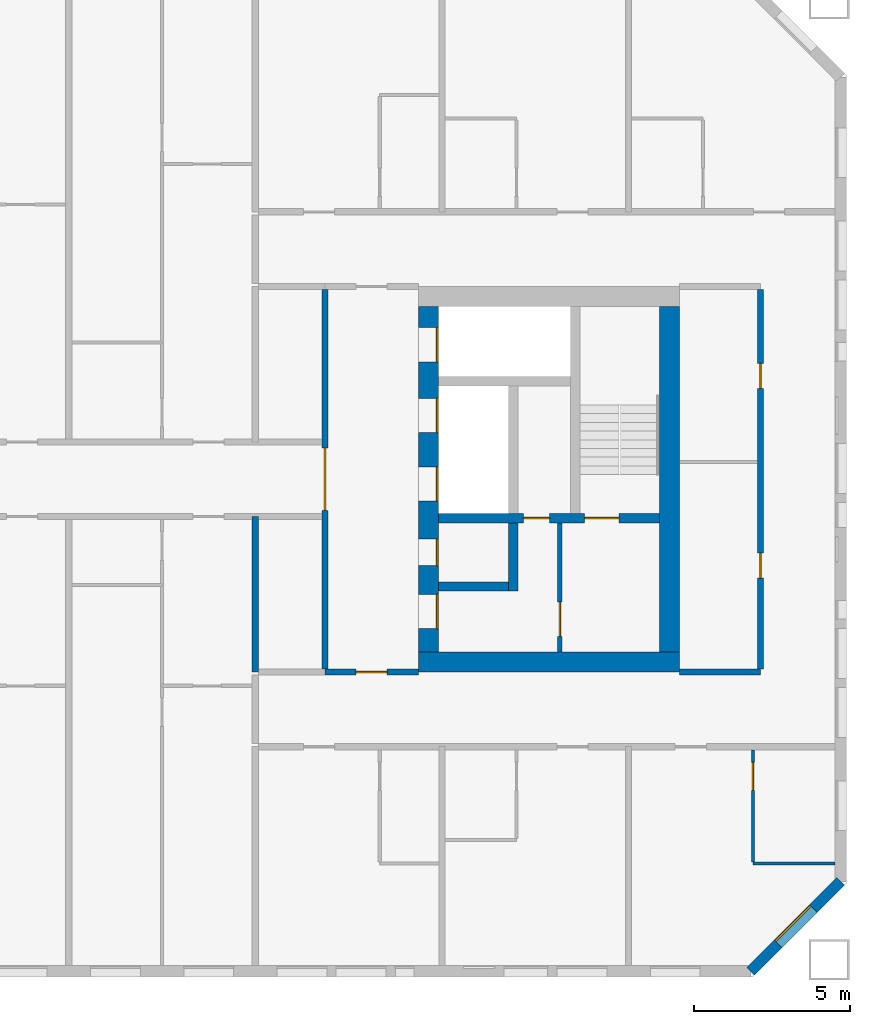
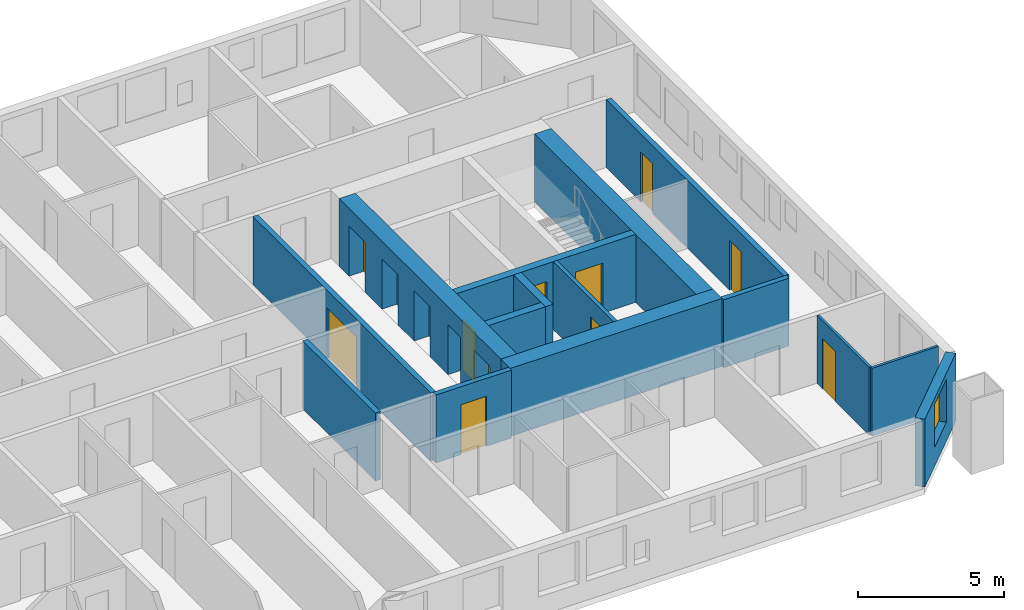
# One storey, part 13 of 17: 15 walls, 13 doors, 1 window, 14 openings.
"""IFC4 building model written with IfcOpenShell, lengths in metres."""

from ifc_helpers import new_model, si_unit, direction, frame, frame_2d, origin, place, context, subcontext, project, spatial, rectangle, extrude, material, layer, layer_set, type_object, element, fill, save


model = new_model("IFC4")

# Units and contexts
model_context = context("Model", 3, precision=1e-05, world=origin(), true_north=direction((0.0, 1.0)))
body_context = subcontext(model_context, "Body", "Model", "MODEL_VIEW")
ifc_project = project(units=[si_unit("LENGTHUNIT", "METRE"), si_unit("AREAUNIT", "SQUARE_METRE"), si_unit("VOLUMEUNIT", "CUBIC_METRE"), si_unit("PLANEANGLEUNIT", "RADIAN"), si_unit("MASSUNIT", "GRAM", prefix="KILO")], contexts=[model_context])

# Site, building, storey
site_placement = place(None, origin())
site = spatial("IfcSite", under=ifc_project, at=site_placement, CompositionType="ELEMENT")
building_placement = place(site_placement, origin())
building = spatial("IfcBuilding", under=site, at=building_placement, Name="Tuart Gate Housing", CompositionType="ELEMENT")
storey_placement = place(building_placement, frame((0.0, 0.0, 105.699951171875)))
storey = spatial("IfcBuildingStorey", under=building, at=storey_placement, Name="L29", CompositionType="ELEMENT", Elevation=105.699951171875)

# Wall, opening, window
ifc_material_1 = material(Name="Brick", Category="masonry")
ifc_layer_1 = layer(ifc_material_1, 0.360107421875)
ifc_layer_set_1 = layer_set([ifc_layer_1], Name="Brick pier and spandrel wall 360")
wall_type_1 = type_object("IfcWallType", Name="Brick pier and spandrel wall 360", PredefinedType="STANDARD", material=ifc_layer_set_1)
wall_1_placement = place(storey_placement, frame((170.92529296875, 54.179931640625, 0.0), z_axis=(0.0, 0.0, 1.0), x_axis=(0.707106781187, 0.707106781187, 0.0)))
wall_1 = element("IfcWall", 1, at=wall_1_placement, inside=storey, type_object=wall_type_1, Name="External wall B-SE L29", PredefinedType="STANDARD", context=body_context, shape_type="SweptSolid", body=[
    extrude(rectangle(XDim=4.09375, YDim=0.360107421875, at=frame_2d((2.046875, 0.0))), origin(), (0.0, 0.0, 1.0), 2.85009765625),
])
opening_1_placement = place(wall_1_placement, frame((1.2470703125, 0.0, 0.800048828125)))
opening_1 = element("IfcOpeningElement", 2, at=opening_1_placement, cuts=wall_1, Name="Opening W1", PredefinedType="OPENING", context=body_context, shape_type="SweptSolid", body=[
    extrude(rectangle(XDim=1.60009765625, YDim=1.800048828125, at=frame_2d((0.800048828125, 0.89990234375))), frame((0.0, 0.18994140625, 0.0), z_axis=(0.0, -1.0, 0.0), x_axis=(1.0, 0.0, 0.0)), (0.0, 0.0, 1.0), 0.380126953125),
])
ifc_material_2 = material(Name="Aluminium frame with clear glass", Category="aluminium")
window_type = type_object("IfcWindowType", Name="Punched window 1600 x 1800", PartitioningType="SINGLE_PANEL", PredefinedType="WINDOW", material=ifc_material_2)
window_placement = place(opening_1_placement, origin())
window = element("IfcWindow", 3, at=window_placement, inside=storey, type_object=window_type, Name="Window W1", OverallHeight=1.800048828125, OverallWidth=1.60009765625, PartitioningType="SINGLE_PANEL", PredefinedType="WINDOW", context=body_context, shape_type="SweptSolid", body=[
    extrude(rectangle(XDim=1.60009765625, YDim=1.800048828125, at=frame_2d((0.800048828125, 0.89990234375))), frame((0.0, 0.150146484375, 0.0), z_axis=(0.0, -1.0, 0.0), x_axis=(1.0, 0.0, 0.0)), (0.0, 0.0, 1.0), 0.06005859375),
])
fill(opening_1, window)

# Wall, opening, door
ifc_material_3 = material(Name="Plasterboard partition")
ifc_layer_2 = layer(ifc_material_3, 0.14990234375)
ifc_layer_set_2 = layer_set([ifc_layer_2], Name="Core partition 150")
wall_type_2 = type_object("IfcWallType", Name="Core partition 150", PredefinedType="PARTITIONING", material=ifc_layer_set_2)
wall_2_placement = place(storey_placement, frame((164.7900390625, 68.60009765625, 0.0), z_axis=(0.0, 0.0, 1.0), x_axis=(0.0, -1.0, 0.0)))
wall_2 = element("IfcWall", 4, at=wall_2_placement, inside=storey, type_object=wall_type_2, Name="Core partition BK.6", PredefinedType="PARTITIONING", context=body_context, shape_type="SweptSolid", body=[
    extrude(rectangle(XDim=4.150146484375, YDim=0.14990234375, at=frame_2d((2.0751953125, 0.0))), origin(), (0.0, 0.0, 1.0), 2.85009765625),
])
opening_2_placement = place(wall_2_placement, frame((2.550048828125, 0.0, 0.0)))
opening_2 = element("IfcOpeningElement", 5, at=opening_2_placement, cuts=wall_2, Name="Opening D1271", PredefinedType="OPENING", context=body_context, shape_type="SweptSolid", body=[
    extrude(rectangle(XDim=1.10009765625, YDim=2.10009765625, at=frame_2d((0.550048828125, 1.050048828125))), frame((0.0, 0.0849609375, 0.0), z_axis=(0.0, -1.0, 0.0), x_axis=(1.0, 0.0, 0.0)), (0.0, 0.0, 1.0), 0.169921875),
])
ifc_material_4 = material(Name="Steel fire door", Category="steel")
door_type_1 = type_object("IfcDoorType", Name="Lobby door 1100 x 2100 RH", OperationType="SINGLE_SWING_RIGHT", PredefinedType="DOOR", material=ifc_material_4)
door_1_placement = place(opening_2_placement, origin())
door_1 = element("IfcDoor", 6, at=door_1_placement, inside=storey, type_object=door_type_1, Name="Smoke lobby door BK.KD", OperationType="SINGLE_SWING_RIGHT", OverallHeight=2.10009765625, OverallWidth=1.10009765625, PredefinedType="DOOR", context=body_context, shape_type="SweptSolid", body=[
    extrude(rectangle(XDim=1.10009765625, YDim=2.10009765625, at=frame_2d((0.550048828125, 1.050048828125))), frame((0.0, 0.02490234375, 0.0), z_axis=(0.0, -1.0, 0.0), x_axis=(1.0, 0.0, 0.0)), (0.0, 0.0, 1.0), 0.050048828125),
])
fill(opening_2, door_1)

# Wall, openings, doors
ifc_material_5 = material(Name="Concrete C50", Category="concrete")
ifc_layer_3 = layer(ifc_material_5, 0.300048828125)
ifc_layer_set_3 = layer_set([ifc_layer_3], Name="Core wall 300 C50")
wall_type_3 = type_object("IfcWallType", Name="Core wall 300 C50", PredefinedType="SHEAR", material=ifc_layer_set_3)
wall_3_placement = place(storey_placement, frame((160.889892578125, 68.75, 0.0), z_axis=(0.0, 0.0, 1.0), x_axis=(1.0, 0.0, 0.0)))
wall_3 = element("IfcWall", 7, at=wall_3_placement, inside=storey, type_object=wall_type_3, Name="Core wall BK.2", PredefinedType="SHEAR", context=body_context, shape_type="SweptSolid", body=[
    extrude(rectangle(XDim=7.10009765625, YDim=0.300048828125, at=frame_2d((3.550048828125, 0.0))), origin(), (0.0, 0.0, 1.0), 2.85009765625),
])
opening_3_placement = place(wall_3_placement, frame((4.699951171875, 0.0, 0.0)))
opening_3 = element("IfcOpeningElement", 8, at=opening_3_placement, cuts=wall_3, Name="Opening D1270", PredefinedType="OPENING", context=body_context, shape_type="SweptSolid", body=[
    extrude(rectangle(XDim=1.10009765625, YDim=2.10009765625, at=frame_2d((0.550048828125, 1.050048828125))), frame((0.0, 0.159912109375, 0.0), z_axis=(0.0, -1.0, 0.0), x_axis=(1.0, 0.0, 0.0)), (0.0, 0.0, 1.0), 0.320068359375),
])
opening_4_placement = place(wall_3_placement, frame((2.72509765625, 0.0, 0.0)))
opening_4 = element("IfcOpeningElement", 9, at=opening_4_placement, cuts=wall_3, Name="Opening D1269", PredefinedType="OPENING", context=body_context, shape_type="SweptSolid", body=[
    extrude(rectangle(XDim=0.85009765625, YDim=2.10009765625, at=frame_2d((0.425048828125, 1.050048828125))), frame((0.0, 0.159912109375, 0.0), z_axis=(0.0, -1.0, 0.0), x_axis=(1.0, 0.0, 0.0)), (0.0, 0.0, 1.0), 0.320068359375),
])
ifc_material_6 = material(Name="Steel fire door", Category="steel")
door_type_2 = type_object("IfcDoorType", Name="Riser door 850 x 2100", OperationType="SINGLE_SWING_LEFT", PredefinedType="DOOR", material=ifc_material_6)
door_2_placement = place(opening_4_placement, origin())
door_2 = element("IfcDoor", 10, at=door_2_placement, inside=storey, type_object=door_type_2, Name="Service room door BK.W1", OperationType="SINGLE_SWING_LEFT", OverallHeight=2.10009765625, OverallWidth=0.85009765625, PredefinedType="DOOR", context=body_context, shape_type="SweptSolid", body=[
    extrude(rectangle(XDim=0.85009765625, YDim=2.10009765625, at=frame_2d((0.425048828125, 1.050048828125))), frame((0.0, 0.02490234375, 0.0), z_axis=(0.0, -1.0, 0.0), x_axis=(1.0, 0.0, 0.0)), (0.0, 0.0, 1.0), 0.050048828125),
])
fill(opening_4, door_2)
ifc_material_7 = material(Name="Steel fire door", Category="steel")
door_type_3 = type_object("IfcDoorType", Name="Stair door 1100 x 2100", OperationType="SINGLE_SWING_LEFT", PredefinedType="DOOR", material=ifc_material_7)
door_3_placement = place(opening_3_placement, origin())
door_3 = element("IfcDoor", 11, at=door_3_placement, inside=storey, type_object=door_type_3, Name="Stair door BK.SD", OperationType="SINGLE_SWING_LEFT", OverallHeight=2.10009765625, OverallWidth=1.10009765625, PredefinedType="DOOR", context=body_context, shape_type="SweptSolid", body=[
    extrude(rectangle(XDim=1.10009765625, YDim=2.10009765625, at=frame_2d((0.550048828125, 1.050048828125))), frame((0.0, 0.02490234375, 0.0), z_axis=(0.0, -1.0, 0.0), x_axis=(1.0, 0.0, 0.0)), (0.0, 0.0, 1.0), 0.050048828125),
])
fill(opening_3, door_3)

# Walls
wall_4_placement = place(storey_placement, frame((160.889892578125, 66.550048828125, 0.0), z_axis=(0.0, 0.0, 1.0), x_axis=(1.0, 0.0, 0.0)))
element("IfcWall", 12, at=wall_4_placement, inside=storey, type_object=wall_type_3, Name="Core wall BK.3", PredefinedType="SHEAR", context=body_context, shape_type="SweptSolid", body=[
    extrude(rectangle(XDim=2.25, YDim=0.300048828125, at=frame_2d((1.125, 0.0))), origin(), (0.0, 0.0, 1.0), 2.85009765625),
])
wall_5_placement = place(storey_placement, frame((163.2900390625, 68.60009765625, 0.0), z_axis=(0.0, 0.0, 1.0), x_axis=(0.0, -1.0, 0.0)))
element("IfcWall", 13, at=wall_5_placement, inside=storey, type_object=wall_type_3, Name="Core wall BK.5", PredefinedType="SHEAR", context=body_context, shape_type="SweptSolid", body=[
    extrude(rectangle(XDim=2.2001953125, YDim=0.300048828125, at=frame_2d((1.10009765625, 0.0))), origin(), (0.0, 0.0, 1.0), 2.85009765625),
])

# Wall, openings, doors
ifc_material_8 = material(Name="Concrete C50", Category="concrete")
ifc_layer_4 = layer(ifc_material_8, 0.64990234375)
ifc_layer_set_4 = layer_set([ifc_layer_4], Name="Core wall 650 C50")
wall_type_4 = type_object("IfcWallType", Name="Core wall 650 C50", PredefinedType="SHEAR", material=ifc_layer_set_4)
wall_6_placement = place(storey_placement, frame((160.56494140625, 75.550048828125, 0.0), z_axis=(0.0, 0.0, 1.0), x_axis=(0.0, -1.0, 0.0)))
wall_6 = element("IfcWall", 14, at=wall_6_placement, inside=storey, type_object=wall_type_4, Name="Core wall BK front", PredefinedType="SHEAR", context=body_context, shape_type="SweptSolid", body=[
    extrude(rectangle(XDim=11.10009765625, YDim=0.64990234375, at=frame_2d((5.550048828125, 0.0))), origin(), (0.0, 0.0, 1.0), 2.85009765625),
])
opening_5_placement = place(wall_6_placement, frame((0.675048828125, 0.0, 0.0)))
opening_5 = element("IfcOpeningElement", 15, at=opening_5_placement, cuts=wall_6, Name="Opening LD-FB2", PredefinedType="OPENING", context=body_context, shape_type="SweptSolid", body=[
    extrude(rectangle(XDim=1.10009765625, YDim=2.10009765625, at=frame_2d((0.550048828125, 1.050048828125))), frame((0.0, 0.3349609375, 0.0), z_axis=(0.0, -1.0, 0.0), x_axis=(1.0, 0.0, 0.0)), (0.0, 0.0, 1.0), 0.669921875),
])
opening_6_placement = place(wall_6_placement, frame((2.949951171875, 0.0, 0.0)))
opening_6 = element("IfcOpeningElement", 16, at=opening_6_placement, cuts=wall_6, Name="Opening LD-LB3", PredefinedType="OPENING", context=body_context, shape_type="SweptSolid", body=[
    extrude(rectangle(XDim=1.10009765625, YDim=2.10009765625, at=frame_2d((0.550048828125, 1.050048828125))), frame((0.0, 0.3349609375, 0.0), z_axis=(0.0, -1.0, 0.0), x_axis=(1.0, 0.0, 0.0)), (0.0, 0.0, 1.0), 0.669921875),
])
opening_7_placement = place(wall_6_placement, frame((5.14990234375, 0.0, 0.0)))
opening_7 = element("IfcOpeningElement", 17, at=opening_7_placement, cuts=wall_6, Name="Opening LD-LB4", PredefinedType="OPENING", context=body_context, shape_type="SweptSolid", body=[
    extrude(rectangle(XDim=1.10009765625, YDim=2.10009765625, at=frame_2d((0.550048828125, 1.050048828125))), frame((0.0, 0.3349609375, 0.0), z_axis=(0.0, -1.0, 0.0), x_axis=(1.0, 0.0, 0.0)), (0.0, 0.0, 1.0), 0.669921875),
])
opening_8_placement = place(wall_6_placement, frame((9.25, 0.0, 0.0)))
opening_8 = element("IfcOpeningElement", 18, at=opening_8_placement, cuts=wall_6, Name="Opening D1263", PredefinedType="OPENING", context=body_context, shape_type="SweptSolid", body=[
    extrude(rectangle(XDim=1.10009765625, YDim=2.10009765625, at=frame_2d((0.550048828125, 1.050048828125))), frame((0.0, 0.3349609375, 0.0), z_axis=(0.0, -1.0, 0.0), x_axis=(1.0, 0.0, 0.0)), (0.0, 0.0, 1.0), 0.669921875),
])
opening_9_placement = place(wall_6_placement, frame((7.47509765625, 0.0, 0.0)))
opening_9 = element("IfcOpeningElement", 19, at=opening_9_placement, cuts=wall_6, Name="Opening D1264", PredefinedType="OPENING", context=body_context, shape_type="SweptSolid", body=[
    extrude(rectangle(XDim=0.85009765625, YDim=2.10009765625, at=frame_2d((0.425048828125, 1.050048828125))), frame((0.0, 0.3349609375, 0.0), z_axis=(0.0, -1.0, 0.0), x_axis=(1.0, 0.0, 0.0)), (0.0, 0.0, 1.0), 0.669921875),
])
ifc_material_9 = material(Name="Stainless steel", Category="steel")
door_type_4 = type_object("IfcDoorType", Name="Landing door 1100 x 2100", OperationType="DOUBLE_DOOR_SLIDING", PredefinedType="DOOR", material=ifc_material_9)
door_4_placement = place(opening_5_placement, origin())
door_4 = element("IfcDoor", 20, at=door_4_placement, inside=storey, type_object=door_type_4, Name="Lift landing door FB2", OperationType="DOUBLE_DOOR_SLIDING", OverallHeight=2.10009765625, OverallWidth=1.10009765625, PredefinedType="DOOR", context=body_context, shape_type="SweptSolid", body=[
    extrude(rectangle(XDim=1.10009765625, YDim=2.10009765625, at=frame_2d((0.550048828125, 1.050048828125))), frame((0.0, 0.31005859375, 0.0), z_axis=(0.0, -1.0, 0.0), x_axis=(1.0, 0.0, 0.0)), (0.0, 0.0, 1.0), 0.050048828125),
])
fill(opening_5, door_4)
door_5_placement = place(opening_6_placement, origin())
door_5 = element("IfcDoor", 21, at=door_5_placement, inside=storey, type_object=door_type_4, Name="Lift landing door LB3", OperationType="DOUBLE_DOOR_SLIDING", OverallHeight=2.10009765625, OverallWidth=1.10009765625, PredefinedType="DOOR", context=body_context, shape_type="SweptSolid", body=[
    extrude(rectangle(XDim=1.10009765625, YDim=2.10009765625, at=frame_2d((0.550048828125, 1.050048828125))), frame((0.0, 0.31005859375, 0.0), z_axis=(0.0, -1.0, 0.0), x_axis=(1.0, 0.0, 0.0)), (0.0, 0.0, 1.0), 0.050048828125),
])
fill(opening_6, door_5)
door_6_placement = place(opening_7_placement, origin())
door_6 = element("IfcDoor", 22, at=door_6_placement, inside=storey, type_object=door_type_4, Name="Lift landing door LB4", OperationType="DOUBLE_DOOR_SLIDING", OverallHeight=2.10009765625, OverallWidth=1.10009765625, PredefinedType="DOOR", context=body_context, shape_type="SweptSolid", body=[
    extrude(rectangle(XDim=1.10009765625, YDim=2.10009765625, at=frame_2d((0.550048828125, 1.050048828125))), frame((0.0, 0.31005859375, 0.0), z_axis=(0.0, -1.0, 0.0), x_axis=(1.0, 0.0, 0.0)), (0.0, 0.0, 1.0), 0.050048828125),
])
fill(opening_7, door_6)
ifc_material_10 = material(Name="Steel fire door", Category="steel")
door_type_5 = type_object("IfcDoorType", Name="Lobby door 1100 x 2100", OperationType="SINGLE_SWING_LEFT", PredefinedType="DOOR", material=ifc_material_10)
door_7_placement = place(opening_8_placement, origin())
door_7 = element("IfcDoor", 23, at=door_7_placement, inside=storey, type_object=door_type_5, Name="Lobby entry door BK.EN", OperationType="SINGLE_SWING_LEFT", OverallHeight=2.10009765625, OverallWidth=1.10009765625, PredefinedType="DOOR", context=body_context, shape_type="SweptSolid", body=[
    extrude(rectangle(XDim=1.10009765625, YDim=2.10009765625, at=frame_2d((0.550048828125, 1.050048828125))), frame((0.0, 0.31005859375, 0.0), z_axis=(0.0, -1.0, 0.0), x_axis=(1.0, 0.0, 0.0)), (0.0, 0.0, 1.0), 0.050048828125),
])
fill(opening_8, door_7)
ifc_material_11 = material(Name="Steel fire door", Category="steel")
door_type_6 = type_object("IfcDoorType", Name="Service door 850 x 2100", OperationType="SINGLE_SWING_LEFT", PredefinedType="DOOR", material=ifc_material_11)
door_8_placement = place(opening_9_placement, origin())
door_8 = element("IfcDoor", 24, at=door_8_placement, inside=storey, type_object=door_type_6, Name="Service room door BK.T1", OperationType="SINGLE_SWING_LEFT", OverallHeight=2.10009765625, OverallWidth=0.85009765625, PredefinedType="DOOR", context=body_context, shape_type="SweptSolid", body=[
    extrude(rectangle(XDim=0.85009765625, YDim=2.10009765625, at=frame_2d((0.425048828125, 1.050048828125))), frame((0.0, 0.31005859375, 0.0), z_axis=(0.0, -1.0, 0.0), x_axis=(1.0, 0.0, 0.0)), (0.0, 0.0, 1.0), 0.050048828125),
])
fill(opening_9, door_8)

# Walls
wall_7_placement = place(storey_placement, frame((168.31494140625, 75.550048828125, 0.0), z_axis=(0.0, 0.0, 1.0), x_axis=(0.0, -1.0, 0.0)))
element("IfcWall", 25, at=wall_7_placement, inside=storey, type_object=wall_type_4, Name="Core wall BK back", PredefinedType="SHEAR", context=body_context, shape_type="SweptSolid", body=[
    extrude(rectangle(XDim=11.10009765625, YDim=0.64990234375, at=frame_2d((5.550048828125, 0.0))), origin(), (0.0, 0.0, 1.0), 2.85009765625),
])
wall_8_placement = place(storey_placement, frame((160.239990234375, 64.125, 0.0), z_axis=(0.0, 0.0, 1.0), x_axis=(1.0, 0.0, 0.0)))
element("IfcWall", 26, at=wall_8_placement, inside=storey, type_object=wall_type_4, Name="Core wall BK north", PredefinedType="SHEAR", context=body_context, shape_type="SweptSolid", body=[
    extrude(rectangle(XDim=8.39990234375, YDim=0.64990234375, at=frame_2d((4.199951171875, 0.0))), origin(), (0.0, 0.0, 1.0), 2.85009765625),
])
ifc_material_12 = material(Name="Concrete masonry 15 MPa", Category="masonry")
ifc_layer_5 = layer(ifc_material_12, 0.199951171875)
ifc_layer_set_5 = layer_set([ifc_layer_5], Name="Corridor wall masonry 200")
wall_type_5 = type_object("IfcWallType", Name="Corridor wall masonry 200", PredefinedType="PARTITIONING", material=ifc_layer_set_5)
wall_9_placement = place(storey_placement, frame((168.639892578125, 63.800048828125, 0.0), z_axis=(0.0, 0.0, 1.0), x_axis=(1.0, 0.0, 0.0)))
element("IfcWall", 27, at=wall_9_placement, inside=storey, type_object=wall_type_5, Name="Corridor wall masonry 200", PredefinedType="PARTITIONING", context=body_context, shape_type="SweptSolid", body=[
    extrude(rectangle(XDim=2.60009765625, YDim=0.199951171875, at=frame_2d((1.300048828125, 0.0))), origin(), (0.0, 0.0, 1.0), 2.85009765625),
])

# Wall, openings, doors
wall_10_placement = place(storey_placement, frame((171.239990234375, 63.89990234375, 0.0), z_axis=(0.0, 0.0, 1.0), x_axis=(0.0, 1.0, 0.0)))
wall_10 = element("IfcWall", 28, at=wall_10_placement, inside=storey, type_object=wall_type_5, Name="Corridor wall masonry 200", PredefinedType="PARTITIONING", context=body_context, shape_type="SweptSolid", body=[
    extrude(rectangle(XDim=12.2001953125, YDim=0.199951171875, at=frame_2d((6.10009765625, 0.0))), origin(), (0.0, 0.0, 1.0), 2.85009765625),
])
opening_10_placement = place(wall_10_placement, frame((2.925048828125, 0.0, 0.0)))
opening_10 = element("IfcOpeningElement", 29, at=opening_10_placement, cuts=wall_10, Name="Opening D1265", PredefinedType="OPENING", context=body_context, shape_type="SweptSolid", body=[
    extrude(rectangle(XDim=0.800048828125, YDim=2.10009765625, at=frame_2d((0.39990234375, 1.050048828125))), frame((0.0, 0.10986328125, 0.0), z_axis=(0.0, -1.0, 0.0), x_axis=(1.0, 0.0, 0.0)), (0.0, 0.0, 1.0), 0.219970703125),
])
opening_11_placement = place(wall_10_placement, frame((9.02490234375, 0.0, 0.0)))
opening_11 = element("IfcOpeningElement", 30, at=opening_11_placement, cuts=wall_10, Name="Opening D1266", PredefinedType="OPENING", context=body_context, shape_type="SweptSolid", body=[
    extrude(rectangle(XDim=0.800048828125, YDim=2.10009765625, at=frame_2d((0.39990234375, 1.050048828125))), frame((0.0, 0.10986328125, 0.0), z_axis=(0.0, -1.0, 0.0), x_axis=(1.0, 0.0, 0.0)), (0.0, 0.0, 1.0), 0.219970703125),
])
ifc_material_13 = material(Name="Timber door leaf in steel frame", Category="steel")
door_type_7 = type_object("IfcDoorType", Name="Store door 800", OperationType="SINGLE_SWING_LEFT", PredefinedType="DOOR", material=ifc_material_13)
door_9_placement = place(opening_11_placement, origin())
door_9 = element("IfcDoor", 31, at=door_9_placement, inside=storey, type_object=door_type_7, Name="Store door", OperationType="SINGLE_SWING_LEFT", OverallHeight=2.10009765625, OverallWidth=0.800048828125, PredefinedType="DOOR", context=body_context, shape_type="SweptSolid", body=[
    extrude(rectangle(XDim=0.800048828125, YDim=2.10009765625, at=frame_2d((0.39990234375, 1.050048828125))), frame((0.0, 0.02490234375, 0.0), z_axis=(0.0, -1.0, 0.0), x_axis=(1.0, 0.0, 0.0)), (0.0, 0.0, 1.0), 0.050048828125),
])
fill(opening_11, door_9)
ifc_material_14 = material(Name="Timber door leaf in steel frame", Category="steel")
door_type_8 = type_object("IfcDoorType", Name="Store door 800 RH", OperationType="SINGLE_SWING_RIGHT", PredefinedType="DOOR", material=ifc_material_14)
door_10_placement = place(opening_10_placement, origin())
door_10 = element("IfcDoor", 32, at=door_10_placement, inside=storey, type_object=door_type_8, Name="Store door", OperationType="SINGLE_SWING_RIGHT", OverallHeight=2.10009765625, OverallWidth=0.800048828125, PredefinedType="DOOR", context=body_context, shape_type="SweptSolid", body=[
    extrude(rectangle(XDim=0.800048828125, YDim=2.10009765625, at=frame_2d((0.39990234375, 1.050048828125))), frame((0.0, 0.02490234375, 0.0), z_axis=(0.0, -1.0, 0.0), x_axis=(1.0, 0.0, 0.0)), (0.0, 0.0, 1.0), 0.050048828125),
])
fill(opening_10, door_10)

# Wall, opening, door
ifc_material_15 = material(Name="Concrete masonry 15 MPa", Category="masonry")
ifc_layer_6 = layer(ifc_material_15, 0.199951171875)
ifc_layer_set_6 = layer_set([ifc_layer_6], Name="Enclosure wall masonry 200")
wall_type_6 = type_object("IfcWallType", Name="Enclosure wall masonry 200", PredefinedType="PARTITIONING", material=ifc_layer_set_6)
wall_11_placement = place(storey_placement, frame((157.239990234375, 63.800048828125, 0.0), z_axis=(0.0, 0.0, 1.0), x_axis=(1.0, 0.0, 0.0)))
wall_11 = element("IfcWall", 33, at=wall_11_placement, inside=storey, type_object=wall_type_6, Name="Enclosure wall masonry 200", PredefinedType="PARTITIONING", context=body_context, shape_type="SweptSolid", body=[
    extrude(rectangle(XDim=3.0, YDim=0.199951171875, at=frame_2d((1.5, 0.0))), origin(), (0.0, 0.0, 1.0), 2.85009765625),
])
opening_12_placement = place(wall_11_placement, frame((1.0, 0.0, 0.0)))
opening_12 = element("IfcOpeningElement", 34, at=opening_12_placement, cuts=wall_11, Name="Opening D1273", PredefinedType="OPENING", context=body_context, shape_type="SweptSolid", body=[
    extrude(rectangle(XDim=1.0, YDim=2.10009765625, at=frame_2d((0.5, 1.050048828125))), frame((0.0, 0.10986328125, 0.0), z_axis=(0.0, -1.0, 0.0), x_axis=(1.0, 0.0, 0.0)), (0.0, 0.0, 1.0), 0.219970703125),
])
ifc_material_16 = material(Name="Timber door leaf in steel frame", Category="steel")
door_type_9 = type_object("IfcDoorType", Name="Fire door 1000 RH", OperationType="SINGLE_SWING_RIGHT", PredefinedType="DOOR", material=ifc_material_16)
door_11_placement = place(opening_12_placement, frame((1.0, 0.0, 0.0), z_axis=(0.0, 0.0, 1.0), x_axis=(-1.0, 0.0, 0.0)))
door_11 = element("IfcDoor", 35, at=door_11_placement, inside=storey, type_object=door_type_9, Name="Fire door", OperationType="SINGLE_SWING_RIGHT", OverallHeight=2.10009765625, OverallWidth=1.0, PredefinedType="DOOR", context=body_context, shape_type="SweptSolid", body=[
    extrude(rectangle(XDim=1.0, YDim=2.10009765625, at=frame_2d((0.5, 1.050048828125))), frame((0.0, 0.025146484375, 0.0), z_axis=(0.0, -1.0, 0.0), x_axis=(1.0, 0.0, 0.0)), (0.0, 0.0, 1.0), 0.050048828125),
])
fill(opening_12, door_11)

ifc_material_17 = material(Name="Plasterboard partition")
ifc_layer_7 = layer(ifc_material_17, 0.199951171875)
ifc_layer_set_7 = layer_set([ifc_layer_7], Name="Lobby wall 200")
wall_type_7 = type_object("IfcWallType", Name="Lobby wall 200", PredefinedType="PARTITIONING", material=ifc_layer_set_7)
wall_12_placement = place(storey_placement, frame((157.239990234375, 63.89990234375, 0.0), z_axis=(0.0, 0.0, 1.0), x_axis=(0.0, 1.0, 0.0)))
wall_12 = element("IfcWall", 36, at=wall_12_placement, inside=storey, type_object=wall_type_7, Name="Lift lobby wall BK", PredefinedType="PARTITIONING", context=body_context, shape_type="SweptSolid", body=[
    extrude(rectangle(XDim=12.2001953125, YDim=0.199951171875, at=frame_2d((6.10009765625, 0.0))), origin(), (0.0, 0.0, 1.0), 2.85009765625),
])
opening_13_placement = place(wall_12_placement, frame((5.10009765625, 0.0, 0.0)))
opening_13 = element("IfcOpeningElement", 37, at=opening_13_placement, cuts=wall_12, Name="Opening D1262", PredefinedType="OPENING", context=body_context, shape_type="SweptSolid", body=[
    extrude(rectangle(XDim=2.0, YDim=2.10009765625, at=frame_2d((1.0, 1.050048828125))), frame((0.0, 0.10986328125, 0.0), z_axis=(0.0, -1.0, 0.0), x_axis=(1.0, 0.0, 0.0)), (0.0, 0.0, 1.0), 0.219970703125),
])
ifc_material_18 = material(Name="Steel fire door", Category="steel")
door_type_10 = type_object("IfcDoorType", Name="Smoke door 2000 x 2100", OperationType="DOUBLE_DOOR_SINGLE_SWING", PredefinedType="DOOR", material=ifc_material_18)
door_12_placement = place(opening_13_placement, frame((2.0, 0.0, 0.0), z_axis=(0.0, 0.0, 1.0), x_axis=(-1.0, 0.0, 0.0)))
door_12 = element("IfcDoor", 38, at=door_12_placement, inside=storey, type_object=door_type_10, Name="Lift lobby smoke door BK", OperationType="DOUBLE_DOOR_SINGLE_SWING", OverallHeight=2.10009765625, OverallWidth=2.0, PredefinedType="DOOR", context=body_context, shape_type="SweptSolid", body=[
    extrude(rectangle(XDim=2.0, YDim=2.10009765625, at=frame_2d((1.0, 1.050048828125))), frame((0.0, 0.025146484375, 0.0), z_axis=(0.0, -1.0, 0.0), x_axis=(1.0, 0.0, 0.0)), (0.0, 0.0, 1.0), 0.050048828125),
])
fill(opening_13, door_12)

# Wall
ifc_material_19 = material(Name="Gypsum board on steel studs", Category="steel")
ifc_layer_8 = layer(ifc_material_19, 0.10009765625)
ifc_layer_set_8 = layer_set([ifc_layer_8], Name="Partition 100")
wall_type_8 = type_object("IfcWallType", Name="Partition 100", PredefinedType="PARTITIONING", material=ifc_layer_set_8)
wall_13_placement = place(storey_placement, frame((171.0, 57.64990234375, 0.0), z_axis=(0.0, 0.0, 1.0), x_axis=(1.0, 0.0, 0.0)))
element("IfcWall", 39, at=wall_13_placement, inside=storey, type_object=wall_type_8, Name="Partition 100", PredefinedType="PARTITIONING", context=body_context, shape_type="SweptSolid", body=[
    extrude(rectangle(XDim=2.639892578125, YDim=0.10009765625, at=frame_2d((1.31982421875, 0.0))), origin(), (0.0, 0.0, 1.0), 2.85009765625),
])

# Wall, opening, door
wall_14_placement = place(storey_placement, frame((171.0, 57.699951171875, 0.0), z_axis=(0.0, 0.0, 1.0), x_axis=(0.0, 1.0, 0.0)))
wall_14 = element("IfcWall", 40, at=wall_14_placement, inside=storey, type_object=wall_type_8, Name="Partition 100", PredefinedType="PARTITIONING", context=body_context, shape_type="SweptSolid", body=[
    extrude(rectangle(XDim=3.60009765625, YDim=0.10009765625, at=frame_2d((1.800048828125, 0.0))), origin(), (0.0, 0.0, 1.0), 2.85009765625),
])
opening_14_placement = place(wall_14_placement, frame((2.300048828125, 0.0, 0.0)))
opening_14 = element("IfcOpeningElement", 41, at=opening_14_placement, cuts=wall_14, Name="Opening D1287", PredefinedType="OPENING", context=body_context, shape_type="SweptSolid", body=[
    extrude(rectangle(XDim=0.89990234375, YDim=2.10009765625, at=frame_2d((0.449951171875, 1.050048828125))), frame((0.0, 0.06005859375, 0.0), z_axis=(0.0, -1.0, 0.0), x_axis=(1.0, 0.0, 0.0)), (0.0, 0.0, 1.0), 0.1201171875),
])
ifc_material_20 = material(Name="Timber door leaf in steel frame", Category="steel")
door_type_11 = type_object("IfcDoorType", Name="Bathroom door 900", OperationType="SINGLE_SWING_LEFT", PredefinedType="DOOR", material=ifc_material_20)
door_13_placement = place(opening_14_placement, frame((0.89990234375, 0.0, 0.0), z_axis=(0.0, 0.0, 1.0), x_axis=(-1.0, 0.0, 0.0)))
door_13 = element("IfcDoor", 42, at=door_13_placement, inside=storey, type_object=door_type_11, Name="Bathroom door", OperationType="SINGLE_SWING_LEFT", OverallHeight=2.10009765625, OverallWidth=0.89990234375, PredefinedType="DOOR", context=body_context, shape_type="SweptSolid", body=[
    extrude(rectangle(XDim=0.89990234375, YDim=2.10009765625, at=frame_2d((0.449951171875, 1.050048828125))), frame((0.0, 0.025146484375, 0.0), z_axis=(0.0, -1.0, 0.0), x_axis=(1.0, 0.0, 0.0)), (0.0, 0.0, 1.0), 0.050048828125),
])
fill(opening_14, door_13)

# Wall
ifc_material_21 = material(Name="Concrete C40", Category="concrete")
ifc_layer_9 = layer(ifc_material_21, 0.199951171875)
ifc_layer_set_9 = layer_set([ifc_layer_9], Name="Party wall concrete C40 200")
wall_type_9 = type_object("IfcWallType", Name="Party wall concrete C40 200", PredefinedType="SOLIDWALL", material=ifc_layer_set_9)
wall_15_placement = place(storey_placement, frame((155.0, 63.800048828125, 0.0), z_axis=(0.0, 0.0, 1.0), x_axis=(0.0, 1.0, 0.0)))
element("IfcWall", 43, at=wall_15_placement, inside=storey, type_object=wall_type_9, Name="Party wall concrete C40 200", PredefinedType="SOLIDWALL", context=body_context, shape_type="SweptSolid", body=[
    extrude(rectangle(XDim=5.0, YDim=0.199951171875, at=frame_2d((2.5, 0.0))), origin(), (0.0, 0.0, 1.0), 2.85009765625),
])

save(model, "model.ifc")
